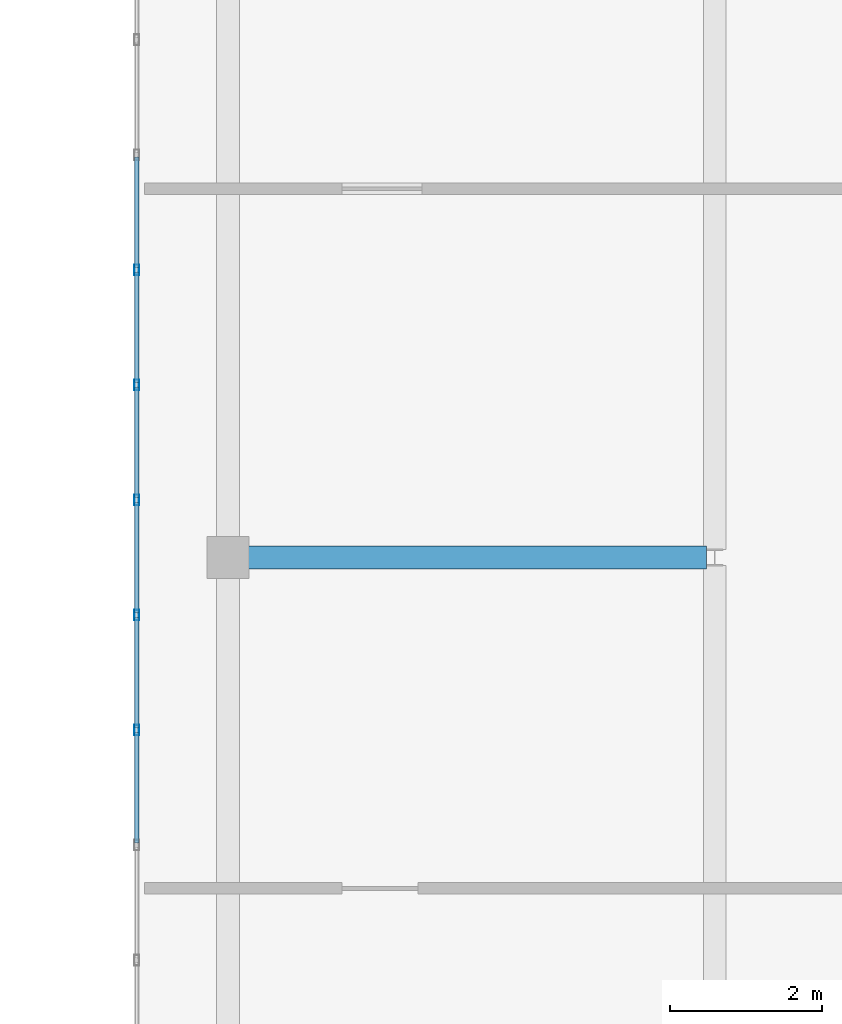
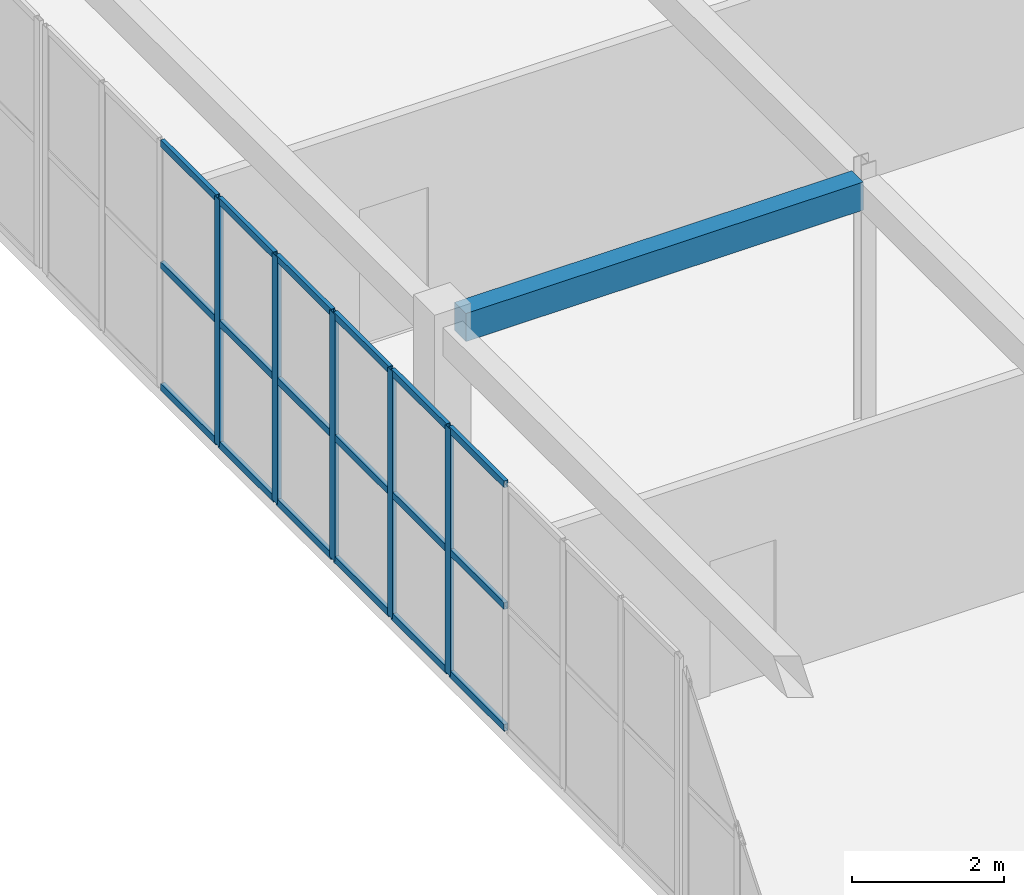
# One storey, part 23 of 140: 23 members, 1 beam, 1 element without a shape of its own.
"""IFC4 building model written with IfcOpenShell, lengths in metres."""

import ifcopenshell
import ifcopenshell.guid

model = None  # the IFC model being written
_history = None  # IfcOwnerHistory: only IFC2X3 demands one
_inside = {}  # id of a spatial element -> (the spatial element, [elements in it])
_under = {}  # id of a project, library or spatial element -> (it, [spatial elements below it])
_declared = {}  # id of a project -> (the project, [libraries it declares])
_typed = {}  # id of a type object -> (the type object, [elements of that type])
_made_of = {}  # id of a material, layer set ... -> (it, [elements and type objects made of it])


def new_model(schema):
    """Start an empty IFC model of exactly this schema.

    Asked for "IFC4X3", IfcOpenShell would pick the latest addendum, in which some entities
    have other attributes; the version numbers below select the first issue.
    IFC2X3 requires an IfcOwnerHistory on every rooted entity: one is made here for all.
    """
    global model, _history
    if schema == "IFC4X3":
        model = ifcopenshell.file(schema_version=(4, 3, 0, 0))
    else:
        model = ifcopenshell.file(schema=schema)
    _inside.clear()
    _under.clear()
    _declared.clear()
    _typed.clear()
    _made_of.clear()
    _history = None
    if model.schema == "IFC2X3":
        org = make("IfcOrganization", Name="unknown")
        user = make(
            "IfcPersonAndOrganization",
            ThePerson=make("IfcPerson", FamilyName="unknown"),
            TheOrganization=org,
        )
        app = make(
            "IfcApplication",
            ApplicationDeveloper=org,
            Version="unknown",
            ApplicationFullName="unknown",
            ApplicationIdentifier="unknown",
        )
        _history = make(
            "IfcOwnerHistory",
            OwningUser=user,
            OwningApplication=app,
            ChangeAction="ADDED",
            CreationDate=0,
        )
    return model


def make(cls, **values):
    """One entity of the class cls with the attributes given. An attribute that is None is left unset."""
    return model.create_entity(
        cls, **{name: value for name, value in values.items() if value is not None}
    )


def rooted(cls, **values):
    """An entity with a GlobalId (a new one), such as an element, a storey or a relation."""
    return make(cls, GlobalId=ifcopenshell.guid.new(), OwnerHistory=_history, **values)


def si_unit(unit_type, name, prefix=None):
    """IfcSIUnit, for example si_unit("LENGTHUNIT", "METRE", prefix="MILLI")."""
    return make("IfcSIUnit", UnitType=unit_type, Prefix=prefix, Name=name)


def assignment(units):
    """IfcUnitAssignment: the units of a project."""
    return None if units is None else make("IfcUnitAssignment", Units=units)


def point(xyz):
    """IfcCartesianPoint."""
    return None if xyz is None else make("IfcCartesianPoint", Coordinates=xyz)


def direction(xyz):
    """IfcDirection."""
    return None if xyz is None else make("IfcDirection", DirectionRatios=xyz)


def frame(location, z_axis=None, x_axis=None):
    """IfcAxis2Placement3D, a coordinate frame: its origin and axes. An axis left out is left unset."""
    return make(
        "IfcAxis2Placement3D",
        Location=point(location),
        Axis=direction(z_axis),
        RefDirection=direction(x_axis),
    )


def frame_2d(location, x_axis=None):
    """IfcAxis2Placement2D, a coordinate frame in the plane: its origin and x axis."""
    return make(
        "IfcAxis2Placement2D", Location=point(location), RefDirection=direction(x_axis)
    )


def origin():
    """The frame at (0, 0, 0) with its axes left unset."""
    return frame((0.0, 0.0, 0.0))


def origin_2d():
    """The frame at (0, 0) in the plane with its x axis left unset."""
    return frame_2d((0.0, 0.0))


def place(relative_to, where):
    """IfcLocalPlacement: puts the frame where relative to a parent placement (None: the world)."""
    return make(
        "IfcLocalPlacement", PlacementRelTo=relative_to, RelativePlacement=where
    )


def context(
    kind, dimensions, precision=None, world=None, true_north=None, identifier=None
):
    """IfcGeometricRepresentationContext, for example the 3D "Model" context."""
    return make(
        "IfcGeometricRepresentationContext",
        ContextIdentifier=identifier,
        ContextType=kind,
        CoordinateSpaceDimension=dimensions,
        Precision=precision,
        WorldCoordinateSystem=world,
        TrueNorth=true_north,
    )


def subcontext(parent, identifier, kind, view, scale=None):
    """IfcGeometricRepresentationSubContext, for example "Body" below "Model"."""
    return make(
        "IfcGeometricRepresentationSubContext",
        ContextIdentifier=identifier,
        ContextType=kind,
        ParentContext=parent,
        TargetScale=scale,
        TargetView=view,
    )


def project(units=None, contexts=None):
    """IfcProject with its units and contexts."""
    return rooted(
        "IfcProject",
        Name="project",
        RepresentationContexts=contexts,
        UnitsInContext=assignment(units),
    )


def spatial(cls, under=None, at=None, **own):
    """A site, building, storey or space (cls), placed at a placement, below another one or the project."""
    s = rooted(cls, ObjectPlacement=at, **own)
    if under is not None:
        _under.setdefault(under.id(), (under, []))[1].append(s)
    return s


def profile(cls, at=None, kind="AREA", **sizes):
    """A parametric profile (cls). Its sizes go by their IFC names, for example OverallWidth=200.0."""
    return make(cls, ProfileType=kind, Position=at, **sizes)


def rectangle(**sizes):
    """IfcRectangleProfileDef."""
    return profile("IfcRectangleProfileDef", **sizes)


def hollow_rectangle(**sizes):
    """IfcRectangleHollowProfileDef."""
    return profile("IfcRectangleHollowProfileDef", **sizes)


def extrude(swept, where, along, depth):
    """IfcExtrudedAreaSolid: the profile swept, set in the frame where, extruded along a direction by depth."""
    return make(
        "IfcExtrudedAreaSolid",
        SweptArea=swept,
        Position=where,
        ExtrudedDirection=direction(along),
        Depth=depth,
    )


def shape(context_of_items, identifier, shape_type, items):
    """IfcShapeRepresentation: the items that make up one representation, for example the "Body"."""
    return make(
        "IfcShapeRepresentation",
        ContextOfItems=context_of_items,
        RepresentationIdentifier=identifier,
        RepresentationType=shape_type,
        Items=items,
    )


def material(Name=None, Category=None):
    """IfcMaterial."""
    return make("IfcMaterial", Name=Name, Category=Category)


def layer(
    of_material, thickness, ventilated=None, Name=None, Category=None, Priority=None
):
    """IfcMaterialLayer: one layer of a wall or slab, of a material (None: an air gap)."""
    return make(
        "IfcMaterialLayer",
        Material=of_material,
        LayerThickness=thickness,
        IsVentilated=ventilated,
        Name=Name,
        Category=Category,
        Priority=Priority,
    )


def layer_set(layers, Name=None):
    """IfcMaterialLayerSet."""
    return make("IfcMaterialLayerSet", MaterialLayers=layers, LayerSetName=Name)


def material_profile(
    of_material, cross_section, Name=None, Category=None, Priority=None
):
    """IfcMaterialProfile: a cross section and its material."""
    return make(
        "IfcMaterialProfile",
        Name=Name,
        Material=of_material,
        Profile=cross_section,
        Priority=Priority,
        Category=Category,
    )


def profile_set(profiles, Name=None, composite=None):
    """IfcMaterialProfileSet."""
    return make(
        "IfcMaterialProfileSet",
        Name=Name,
        MaterialProfiles=profiles,
        CompositeProfile=composite,
    )


def made_of(thing, what):
    """Note that an element or type object is made of a material, layer set ...; save() writes the relation."""
    if what is not None:
        _made_of.setdefault(what.id(), (what, []))[1].append(thing)
    return thing


def type_object(cls, material=None, **own):
    """A type object (cls), such as IfcWallType, which elements share."""
    return made_of(rooted(cls, **own), material)


def element(
    cls,
    number,
    at=None,
    inside=None,
    cuts=None,
    type_object=None,
    material=None,
    context=None,
    identifier="Body",
    shape_type=None,
    held_by="IfcProductDefinitionShape",
    body=None,
    shapes=None,
    **own,
):
    """One element of the class cls, such as IfcWall. Its Tag is "e" and its number.

    at: its placement. inside: the storey or other place that contains it. cuts: it is an
    opening in that element (IfcRelVoidsElement). A single representation is given by context,
    identifier, shape_type and body (its items); several are given by shapes. held_by: the class
    of the entity that holds the representations. save() writes the other relations.
    """
    e = rooted(cls, Tag="e%d" % number, ObjectPlacement=at, **own)
    if body is not None:
        shapes = [shape(context, identifier, shape_type, body)]
    if shapes is not None:
        e.Representation = make(held_by, Representations=shapes)
    if inside is not None:
        _inside.setdefault(inside.id(), (inside, []))[1].append(e)
    if cuts is not None:
        rooted(
            "IfcRelVoidsElement", RelatingBuildingElement=cuts, RelatedOpeningElement=e
        )
    if type_object is not None:
        _typed.setdefault(type_object.id(), (type_object, []))[1].append(e)
    return made_of(e, material)


def aggregate(whole, parts):
    """IfcRelAggregates: a whole, such as a stair, and the parts it consists of."""
    return rooted("IfcRelAggregates", RelatingObject=whole, RelatedObjects=parts)


def save(model, path):
    """Write the relations noted so far, then the file.

    IfcRelAggregates (storeys below a building ...), IfcRelContainedInSpatialStructure (elements
    in a storey), IfcRelDefinesByType, IfcRelAssociatesMaterial and IfcRelDeclares: one each for
    every whole, place, type object, material and project.
    """
    for whole, parts in _under.values():
        aggregate(whole, parts)
    for where, things in _inside.values():
        rooted(
            "IfcRelContainedInSpatialStructure",
            RelatedElements=things,
            RelatingStructure=where,
        )
    for kind, things in _typed.values():
        rooted("IfcRelDefinesByType", RelatedObjects=things, RelatingType=kind)
    for what, things in _made_of.values():
        rooted("IfcRelAssociatesMaterial", RelatedObjects=things, RelatingMaterial=what)
    for by, libraries in _declared.values():
        rooted("IfcRelDeclares", RelatingContext=by, RelatedDefinitions=libraries)
    model.write(path)


model = new_model("IFC4")

# Units and contexts
model_context = context("Model", 3, precision=1e-05, world=origin(), true_north=direction((0.0, 1.0)))
body_context = subcontext(model_context, "Body", "Model", "MODEL_VIEW")
ifc_project = project(units=[si_unit("LENGTHUNIT", "METRE"), si_unit("AREAUNIT", "SQUARE_METRE"), si_unit("VOLUMEUNIT", "CUBIC_METRE"), si_unit("PLANEANGLEUNIT", "RADIAN"), si_unit("MASSUNIT", "GRAM", prefix="KILO")], contexts=[model_context])

# Site, building, storey
site_placement = place(None, origin())
site = spatial("IfcSite", under=ifc_project, at=site_placement, CompositionType="ELEMENT")
building_placement = place(site_placement, origin())
building = spatial("IfcBuilding", under=site, at=building_placement, Name="Trelvath General Hospital", CompositionType="ELEMENT")
storey_placement = place(building_placement, frame((0.0, 0.0, 16.199951171875)))
storey = spatial("IfcBuildingStorey", under=building, at=storey_placement, Name="L04", CompositionType="ELEMENT", Elevation=16.199951171875)

# Beam
ifc_material_1 = material(Name="Concrete C35/45", Category="concrete")
ifc_material_profile_1 = material_profile(ifc_material_1, rectangle(XDim=0.300048828125, YDim=0.449951171875, at=origin_2d()), Name="RCB300x450")
ifc_profile_set_1 = profile_set([ifc_material_profile_1], Name="Concrete C35/45")
beam_type = type_object("IfcBeamType", Name="Beam RC300x450", PredefinedType="BEAM", material=ifc_profile_set_1)
beam_placement = place(storey_placement, frame((54.6708984375, 58.800048828125, 3.735107421875), z_axis=(1.0, 0.0, 0.0), x_axis=(0.0, 1.0, 0.0)))
element("IfcBeam", 1, at=beam_placement, inside=storey, type_object=beam_type, Name="Cube Interior Ring Beam CUBE-W-T1 L04", PredefinedType="BEAM", context=body_context, shape_type="SweptSolid", body=[
    extrude(rectangle(XDim=0.300048828125, YDim=0.449951171875, at=origin_2d()), origin(), (0.0, 0.0, 1.0), 6.023193359375),
])

# Curtain wall, members
ifc_material_2 = material(Name="Anodised aluminium and low-E glass", Category="aluminium")
ifc_layer = layer(ifc_material_2, 0.139892578125)
ifc_layer_set = layer_set([ifc_layer], Name="Anodised aluminium and low-E glass")
curtain_wall_type = type_object("IfcCurtainWallType", Name="CW CrystalCube 1664 396 14", PredefinedType="USERDEFINED", material=ifc_layer_set)
curtain_wall_placement = place(storey_placement, origin())
curtain_wall = element("IfcCurtainWall", 2, at=curtain_wall_placement, inside=storey, type_object=curtain_wall_type, Name="Crystal Cube Curtain Wall CUBE-W-T1 W3 L04", ObjectType="Unitised Glazed Curtain Wall", PredefinedType="USERDEFINED")
ifc_material_3 = material(Name="Anodised aluminium", Category="aluminium")
ifc_material_profile_2 = material_profile(ifc_material_3, hollow_rectangle(XDim=0.06005859375, YDim=0.139892578125, WallThickness=0.00390625, at=origin_2d()), Name="RHS60x140x4")
ifc_profile_set_2 = profile_set([ifc_material_profile_2], Name="Anodised aluminium")
member_type_1 = type_object("IfcMemberType", Name="CurtainMullion 60x140", PredefinedType="MULLION", material=ifc_profile_set_2)
member_1_placement = place(storey_placement, frame((53.199951171875, 56.531005859375, 0.0), z_axis=(0.0, 0.0, 1.0), x_axis=(-1.0, 0.0, 0.0)))
member_1 = element("IfcMember", 3, at=member_1_placement, type_object=member_type_1, Name="CW-277 mullion 5", PredefinedType="MULLION", context=body_context, shape_type="SweptSolid", body=[
    extrude(hollow_rectangle(XDim=0.06005859375, YDim=0.139892578125, WallThickness=0.00390625, at=origin_2d()), origin(), (0.0, 0.0, 1.0), 3.9599609375),
])
member_2_placement = place(storey_placement, frame((53.199951171875, 58.043701171875, 0.0), z_axis=(0.0, 0.0, 1.0), x_axis=(-1.0, 0.0, 0.0)))
member_2 = element("IfcMember", 4, at=member_2_placement, type_object=member_type_1, Name="CW-277 mullion 6", PredefinedType="MULLION", context=body_context, shape_type="SweptSolid", body=[
    extrude(hollow_rectangle(XDim=0.06005859375, YDim=0.139892578125, WallThickness=0.00390625, at=origin_2d()), origin(), (0.0, 0.0, 1.0), 3.9599609375),
])
member_3_placement = place(storey_placement, frame((53.199951171875, 59.556396484375, 0.0), z_axis=(0.0, 0.0, 1.0), x_axis=(-1.0, 0.0, 0.0)))
member_3 = element("IfcMember", 5, at=member_3_placement, type_object=member_type_1, Name="CW-277 mullion 7", PredefinedType="MULLION", context=body_context, shape_type="SweptSolid", body=[
    extrude(hollow_rectangle(XDim=0.06005859375, YDim=0.139892578125, WallThickness=0.00390625, at=origin_2d()), origin(), (0.0, 0.0, 1.0), 3.9599609375),
])
member_4_placement = place(storey_placement, frame((53.199951171875, 61.069091796875, 0.0), z_axis=(0.0, 0.0, 1.0), x_axis=(-1.0, 0.0, 0.0)))
member_4 = element("IfcMember", 6, at=member_4_placement, type_object=member_type_1, Name="CW-277 mullion 8", PredefinedType="MULLION", context=body_context, shape_type="SweptSolid", body=[
    extrude(hollow_rectangle(XDim=0.06005859375, YDim=0.139892578125, WallThickness=0.00390625, at=origin_2d()), origin(), (0.0, 0.0, 1.0), 3.9599609375),
])
member_5_placement = place(storey_placement, frame((53.199951171875, 62.581787109375, 0.0), z_axis=(0.0, 0.0, 1.0), x_axis=(-1.0, 0.0, 0.0)))
member_5 = element("IfcMember", 7, at=member_5_placement, type_object=member_type_1, Name="CW-277 mullion 9", PredefinedType="MULLION", context=body_context, shape_type="SweptSolid", body=[
    extrude(hollow_rectangle(XDim=0.06005859375, YDim=0.139892578125, WallThickness=0.00390625, at=origin_2d()), origin(), (0.0, 0.0, 1.0), 3.9599609375),
])
ifc_material_4 = material(Name="Anodised aluminium", Category="aluminium")
ifc_material_profile_3 = material_profile(ifc_material_4, hollow_rectangle(XDim=0.06005859375, YDim=0.110107421875, WallThickness=0.00390625, at=origin_2d()), Name="RHS60x110x4")
ifc_profile_set_3 = profile_set([ifc_material_profile_3], Name="Anodised aluminium")
member_type_2 = type_object("IfcMemberType", Name="CurtainTransom 60x110", PredefinedType="USERDEFINED", material=ifc_profile_set_3)
member_6_placement = place(storey_placement, frame((53.199951171875, 55.048095703125, 0.030029296875), z_axis=(0.0, 1.0, 0.0), x_axis=(-1.0, 0.0, 0.0)))
member_6 = element("IfcMember", 8, at=member_6_placement, type_object=member_type_2, Name="CW-277 transom 4.1", ObjectType="TRANSOM", PredefinedType="USERDEFINED", context=body_context, shape_type="SweptSolid", body=[
    extrude(hollow_rectangle(XDim=0.06005859375, YDim=0.110107421875, WallThickness=0.00390625, at=origin_2d()), origin(), (0.0, 0.0, 1.0), 1.452880859375),
])
member_7_placement = place(storey_placement, frame((53.199951171875, 55.048095703125, 1.97998046875), z_axis=(0.0, 1.0, 0.0), x_axis=(-1.0, 0.0, 0.0)))
member_7 = element("IfcMember", 9, at=member_7_placement, type_object=member_type_2, Name="CW-277 transom 4.2", ObjectType="TRANSOM", PredefinedType="USERDEFINED", context=body_context, shape_type="SweptSolid", body=[
    extrude(hollow_rectangle(XDim=0.06005859375, YDim=0.110107421875, WallThickness=0.00390625, at=origin_2d()), origin(), (0.0, 0.0, 1.0), 1.452880859375),
])
member_8_placement = place(storey_placement, frame((53.199951171875, 55.048095703125, 3.929931640625), z_axis=(0.0, 1.0, 0.0), x_axis=(-1.0, 0.0, 0.0)))
member_8 = element("IfcMember", 10, at=member_8_placement, type_object=member_type_2, Name="CW-277 transom 4.3", ObjectType="TRANSOM", PredefinedType="USERDEFINED", context=body_context, shape_type="SweptSolid", body=[
    extrude(hollow_rectangle(XDim=0.06005859375, YDim=0.110107421875, WallThickness=0.00390625, at=origin_2d()), origin(), (0.0, 0.0, 1.0), 1.452880859375),
])
member_9_placement = place(storey_placement, frame((53.199951171875, 56.560791015625, 0.030029296875), z_axis=(0.0, 1.0, 0.0), x_axis=(-1.0, 0.0, 0.0)))
member_9 = element("IfcMember", 11, at=member_9_placement, type_object=member_type_2, Name="CW-277 transom 5.1", ObjectType="TRANSOM", PredefinedType="USERDEFINED", context=body_context, shape_type="SweptSolid", body=[
    extrude(hollow_rectangle(XDim=0.06005859375, YDim=0.110107421875, WallThickness=0.00390625, at=origin_2d()), origin(), (0.0, 0.0, 1.0), 1.452880859375),
])
member_10_placement = place(storey_placement, frame((53.199951171875, 56.560791015625, 1.97998046875), z_axis=(0.0, 1.0, 0.0), x_axis=(-1.0, 0.0, 0.0)))
member_10 = element("IfcMember", 12, at=member_10_placement, type_object=member_type_2, Name="CW-277 transom 5.2", ObjectType="TRANSOM", PredefinedType="USERDEFINED", context=body_context, shape_type="SweptSolid", body=[
    extrude(hollow_rectangle(XDim=0.06005859375, YDim=0.110107421875, WallThickness=0.00390625, at=origin_2d()), origin(), (0.0, 0.0, 1.0), 1.452880859375),
])
member_11_placement = place(storey_placement, frame((53.199951171875, 56.560791015625, 3.929931640625), z_axis=(0.0, 1.0, 0.0), x_axis=(-1.0, 0.0, 0.0)))
member_11 = element("IfcMember", 13, at=member_11_placement, type_object=member_type_2, Name="CW-277 transom 5.3", ObjectType="TRANSOM", PredefinedType="USERDEFINED", context=body_context, shape_type="SweptSolid", body=[
    extrude(hollow_rectangle(XDim=0.06005859375, YDim=0.110107421875, WallThickness=0.00390625, at=origin_2d()), origin(), (0.0, 0.0, 1.0), 1.452880859375),
])
member_12_placement = place(storey_placement, frame((53.199951171875, 58.07373046875, 0.030029296875), z_axis=(0.0, 1.0, 0.0), x_axis=(-1.0, 0.0, 0.0)))
member_12 = element("IfcMember", 14, at=member_12_placement, type_object=member_type_2, Name="CW-277 transom 6.1", ObjectType="TRANSOM", PredefinedType="USERDEFINED", context=body_context, shape_type="SweptSolid", body=[
    extrude(hollow_rectangle(XDim=0.06005859375, YDim=0.110107421875, WallThickness=0.00390625, at=origin_2d()), origin(), (0.0, 0.0, 1.0), 1.45263671875),
])
member_13_placement = place(storey_placement, frame((53.199951171875, 58.07373046875, 1.97998046875), z_axis=(0.0, 1.0, 0.0), x_axis=(-1.0, 0.0, 0.0)))
member_13 = element("IfcMember", 15, at=member_13_placement, type_object=member_type_2, Name="CW-277 transom 6.2", ObjectType="TRANSOM", PredefinedType="USERDEFINED", context=body_context, shape_type="SweptSolid", body=[
    extrude(hollow_rectangle(XDim=0.06005859375, YDim=0.110107421875, WallThickness=0.00390625, at=origin_2d()), origin(), (0.0, 0.0, 1.0), 1.45263671875),
])
member_14_placement = place(storey_placement, frame((53.199951171875, 58.07373046875, 3.929931640625), z_axis=(0.0, 1.0, 0.0), x_axis=(-1.0, 0.0, 0.0)))
member_14 = element("IfcMember", 16, at=member_14_placement, type_object=member_type_2, Name="CW-277 transom 6.3", ObjectType="TRANSOM", PredefinedType="USERDEFINED", context=body_context, shape_type="SweptSolid", body=[
    extrude(hollow_rectangle(XDim=0.06005859375, YDim=0.110107421875, WallThickness=0.00390625, at=origin_2d()), origin(), (0.0, 0.0, 1.0), 1.45263671875),
])
member_15_placement = place(storey_placement, frame((53.199951171875, 59.58642578125, 0.030029296875), z_axis=(0.0, 1.0, 0.0), x_axis=(-1.0, 0.0, 0.0)))
member_15 = element("IfcMember", 17, at=member_15_placement, type_object=member_type_2, Name="CW-277 transom 7.1", ObjectType="TRANSOM", PredefinedType="USERDEFINED", context=body_context, shape_type="SweptSolid", body=[
    extrude(hollow_rectangle(XDim=0.06005859375, YDim=0.110107421875, WallThickness=0.00390625, at=origin_2d()), origin(), (0.0, 0.0, 1.0), 1.45263671875),
])
member_16_placement = place(storey_placement, frame((53.199951171875, 59.58642578125, 1.97998046875), z_axis=(0.0, 1.0, 0.0), x_axis=(-1.0, 0.0, 0.0)))
member_16 = element("IfcMember", 18, at=member_16_placement, type_object=member_type_2, Name="CW-277 transom 7.2", ObjectType="TRANSOM", PredefinedType="USERDEFINED", context=body_context, shape_type="SweptSolid", body=[
    extrude(hollow_rectangle(XDim=0.06005859375, YDim=0.110107421875, WallThickness=0.00390625, at=origin_2d()), origin(), (0.0, 0.0, 1.0), 1.45263671875),
])
member_17_placement = place(storey_placement, frame((53.199951171875, 59.58642578125, 3.929931640625), z_axis=(0.0, 1.0, 0.0), x_axis=(-1.0, 0.0, 0.0)))
member_17 = element("IfcMember", 19, at=member_17_placement, type_object=member_type_2, Name="CW-277 transom 7.3", ObjectType="TRANSOM", PredefinedType="USERDEFINED", context=body_context, shape_type="SweptSolid", body=[
    extrude(hollow_rectangle(XDim=0.06005859375, YDim=0.110107421875, WallThickness=0.00390625, at=origin_2d()), origin(), (0.0, 0.0, 1.0), 1.45263671875),
])
member_18_placement = place(storey_placement, frame((53.199951171875, 61.09912109375, 0.030029296875), z_axis=(0.0, 1.0, 0.0), x_axis=(-1.0, 0.0, 0.0)))
member_18 = element("IfcMember", 20, at=member_18_placement, type_object=member_type_2, Name="CW-277 transom 8.1", ObjectType="TRANSOM", PredefinedType="USERDEFINED", context=body_context, shape_type="SweptSolid", body=[
    extrude(hollow_rectangle(XDim=0.06005859375, YDim=0.110107421875, WallThickness=0.00390625, at=origin_2d()), origin(), (0.0, 0.0, 1.0), 1.45263671875),
])
member_19_placement = place(storey_placement, frame((53.199951171875, 61.09912109375, 1.97998046875), z_axis=(0.0, 1.0, 0.0), x_axis=(-1.0, 0.0, 0.0)))
member_19 = element("IfcMember", 21, at=member_19_placement, type_object=member_type_2, Name="CW-277 transom 8.2", ObjectType="TRANSOM", PredefinedType="USERDEFINED", context=body_context, shape_type="SweptSolid", body=[
    extrude(hollow_rectangle(XDim=0.06005859375, YDim=0.110107421875, WallThickness=0.00390625, at=origin_2d()), origin(), (0.0, 0.0, 1.0), 1.45263671875),
])
member_20_placement = place(storey_placement, frame((53.199951171875, 61.09912109375, 3.929931640625), z_axis=(0.0, 1.0, 0.0), x_axis=(-1.0, 0.0, 0.0)))
member_20 = element("IfcMember", 22, at=member_20_placement, type_object=member_type_2, Name="CW-277 transom 8.3", ObjectType="TRANSOM", PredefinedType="USERDEFINED", context=body_context, shape_type="SweptSolid", body=[
    extrude(hollow_rectangle(XDim=0.06005859375, YDim=0.110107421875, WallThickness=0.00390625, at=origin_2d()), origin(), (0.0, 0.0, 1.0), 1.45263671875),
])
member_21_placement = place(storey_placement, frame((53.199951171875, 62.61181640625, 0.030029296875), z_axis=(0.0, 1.0, 0.0), x_axis=(-1.0, 0.0, 0.0)))
member_21 = element("IfcMember", 23, at=member_21_placement, type_object=member_type_2, Name="CW-277 transom 9.1", ObjectType="TRANSOM", PredefinedType="USERDEFINED", context=body_context, shape_type="SweptSolid", body=[
    extrude(hollow_rectangle(XDim=0.06005859375, YDim=0.110107421875, WallThickness=0.00390625, at=origin_2d()), origin(), (0.0, 0.0, 1.0), 1.45263671875),
])
member_22_placement = place(storey_placement, frame((53.199951171875, 62.61181640625, 1.97998046875), z_axis=(0.0, 1.0, 0.0), x_axis=(-1.0, 0.0, 0.0)))
member_22 = element("IfcMember", 24, at=member_22_placement, type_object=member_type_2, Name="CW-277 transom 9.2", ObjectType="TRANSOM", PredefinedType="USERDEFINED", context=body_context, shape_type="SweptSolid", body=[
    extrude(hollow_rectangle(XDim=0.06005859375, YDim=0.110107421875, WallThickness=0.00390625, at=origin_2d()), origin(), (0.0, 0.0, 1.0), 1.45263671875),
])
member_23_placement = place(storey_placement, frame((53.199951171875, 62.61181640625, 3.929931640625), z_axis=(0.0, 1.0, 0.0), x_axis=(-1.0, 0.0, 0.0)))
member_23 = element("IfcMember", 25, at=member_23_placement, type_object=member_type_2, Name="CW-277 transom 9.3", ObjectType="TRANSOM", PredefinedType="USERDEFINED", context=body_context, shape_type="SweptSolid", body=[
    extrude(hollow_rectangle(XDim=0.06005859375, YDim=0.110107421875, WallThickness=0.00390625, at=origin_2d()), origin(), (0.0, 0.0, 1.0), 1.45263671875),
])
aggregate(curtain_wall, [member_1, member_2, member_3, member_4, member_5, member_6, member_7, member_8, member_9, member_10, member_11, member_12, member_13, member_14, member_15, member_16, member_17, member_18, member_19, member_20, member_21, member_22, member_23])

save(model, "model.ifc")
